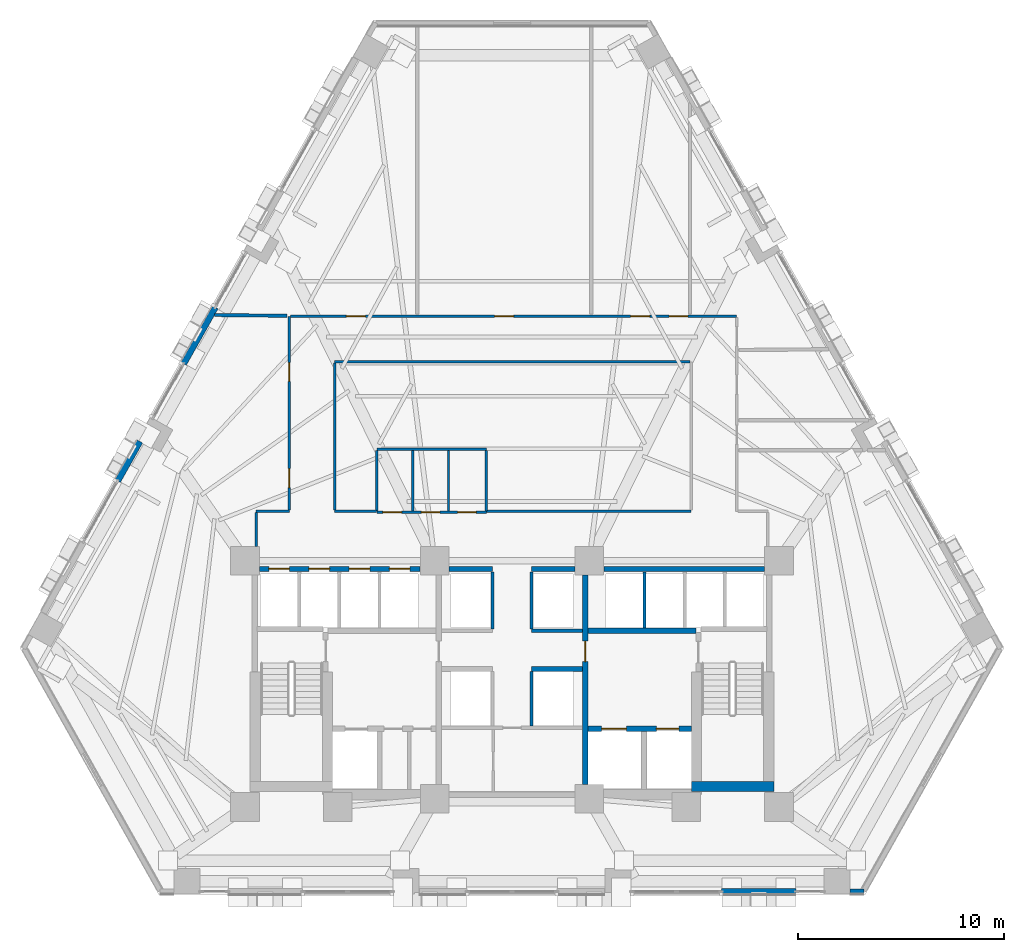
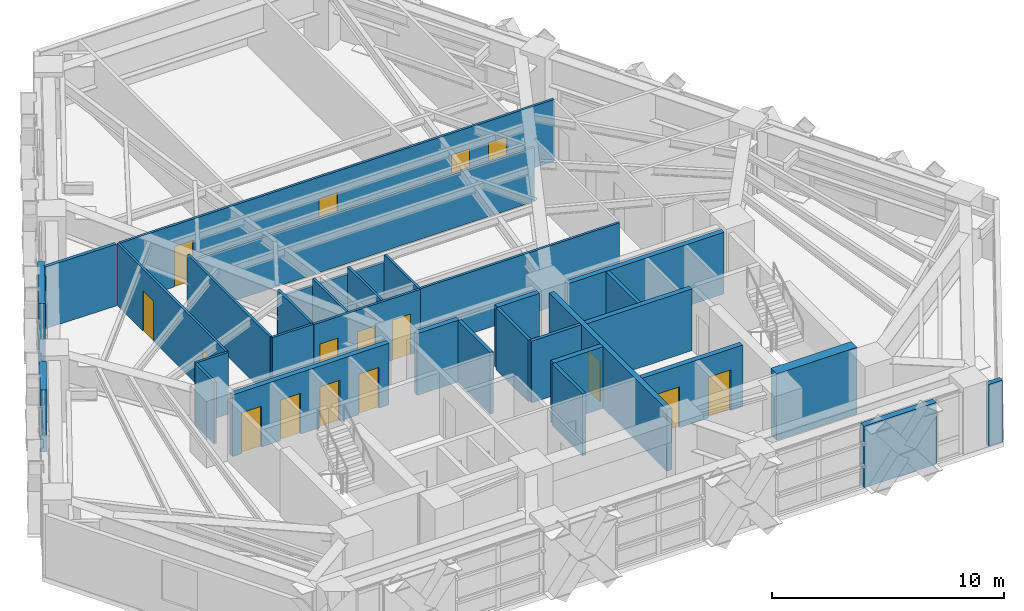
# One storey, part 8 of 14: 33 walls, 16 doors, 16 openings.
"""IFC4 building model written with IfcOpenShell, lengths in metres."""

from ifc_helpers import new_model, si_unit, direction, frame, frame_2d, origin, place, context, subcontext, project, spatial, rectangle, extrude, material, layer, layer_set, type_object, element, fill, save


model = new_model("IFC4")

# Units and contexts
model_context = context("Model", 3, precision=1e-05, world=origin(), true_north=direction((0.0, 1.0)))
body_context = subcontext(model_context, "Body", "Model", "MODEL_VIEW")
ifc_project = project(units=[si_unit("LENGTHUNIT", "METRE"), si_unit("AREAUNIT", "SQUARE_METRE"), si_unit("VOLUMEUNIT", "CUBIC_METRE"), si_unit("PLANEANGLEUNIT", "RADIAN"), si_unit("MASSUNIT", "GRAM", prefix="KILO")], contexts=[model_context])

# Site, building, storey
site_placement = place(None, origin())
site = spatial("IfcSite", under=ifc_project, at=site_placement, CompositionType="ELEMENT")
building_placement = place(site_placement, origin())
building = spatial("IfcBuilding", under=site, at=building_placement, Name="Quenlor Broadcast Tower", CompositionType="ELEMENT")
storey_placement = place(building_placement, frame((0.0, 0.0, 73.10009765625)))
storey = spatial("IfcBuildingStorey", under=building, at=storey_placement, Name="L19", CompositionType="ELEMENT", Elevation=73.10009765625)

# Wall
ifc_material_1 = material(Name="Concrete C65/80", Category="concrete")
ifc_layer_1 = layer(ifc_material_1, 0.5)
ifc_layer_set_1 = layer_set([ifc_layer_1], Name="Core Concrete C65/80 Shear Wall 500")
wall_type_1 = type_object("IfcWallType", Name="Core Concrete C65/80 Shear Wall 500", PredefinedType="SHEAR", material=ifc_layer_set_1)
wall_1_placement = place(storey_placement, frame((8.699951171875, -15.75, 0.0), z_axis=(0.0, 0.0, 1.0), x_axis=(1.0, 0.0, 0.0)))
element("IfcWall", 1, at=wall_1_placement, inside=storey, type_object=wall_type_1, Name="L19 Core Shear Wall WS-E2", PredefinedType="SHEAR", context=body_context, shape_type="SweptSolid", body=[
    extrude(rectangle(XDim=4.0, YDim=0.5, at=frame_2d((2.0, 0.0))), origin(), (0.0, 0.0, 1.0), 3.5),
])

# Wall, openings, doors
ifc_material_2 = material(Name="Concrete C40/50", Category="concrete")
ifc_layer_2 = layer(ifc_material_2, 0.25)
ifc_layer_set_2 = layer_set([ifc_layer_2], Name="Fire Rated Concrete C40/50 Core Wall 250")
wall_type_2 = type_object("IfcWallType", Name="Fire Rated Concrete C40/50 Core Wall 250", PredefinedType="PARTITIONING", material=ifc_layer_set_2)
wall_2_placement = place(storey_placement, frame((3.679931640625, -12.949951171875, 0.0), z_axis=(0.0, 0.0, 1.0), x_axis=(1.0, 0.0, 0.0)))
wall_2 = element("IfcWall", 2, at=wall_2_placement, inside=storey, type_object=wall_type_2, Name="L19 Interior Wall CW-FFE-S", PredefinedType="PARTITIONING", context=body_context, shape_type="SweptSolid", body=[
    extrude(rectangle(XDim=5.01806640625, YDim=0.25, at=frame_2d((2.509033203125, 0.0))), origin(), (0.0, 0.0, 1.0), 3.25),
])
opening_1_placement = place(wall_2_placement, frame((3.320068359375, 0.0, 0.0)))
opening_1 = element("IfcOpeningElement", 3, at=opening_1_placement, cuts=wall_2, Name="Opening LD-FFL-2", PredefinedType="OPENING", context=body_context, shape_type="SweptSolid", body=[
    extrude(rectangle(XDim=1.10009765625, YDim=2.14990234375, at=frame_2d((0.550048828125, 1.074951171875))), frame((0.0, 0.135009765625, 0.0), z_axis=(0.0, -1.0, 0.0), x_axis=(1.0, 0.0, 0.0)), (0.0, 0.0, 1.0), 0.27001953125),
])
opening_2_placement = place(wall_2_placement, frame((0.669921875, 0.0, 0.0)))
opening_2 = element("IfcOpeningElement", 4, at=opening_2_placement, cuts=wall_2, Name="Opening LD-SVL-1", PredefinedType="OPENING", context=body_context, shape_type="SweptSolid", body=[
    extrude(rectangle(XDim=1.199951171875, YDim=2.14990234375, at=frame_2d((0.60009765625, 1.074951171875))), frame((0.0, 0.135009765625, 0.0), z_axis=(0.0, -1.0, 0.0), x_axis=(1.0, 0.0, 0.0)), (0.0, 0.0, 1.0), 0.27001953125),
])
ifc_material_3 = material(Name="Brushed Stainless Steel", Category="steel")
door_type_1 = type_object("IfcDoorType", Name="Emergency Lift Sliding Landing Door 1100x2150", OperationType="NOTDEFINED", PredefinedType="DOOR", material=ifc_material_3)
door_1_placement = place(opening_1_placement, origin())
door_1 = element("IfcDoor", 5, at=door_1_placement, inside=storey, type_object=door_type_1, Name="L19 Door LD-FFL-2", OperationType="SLIDING_TO_RIGHT", OverallHeight=2.14990234375, OverallWidth=1.10009765625, PredefinedType="DOOR", context=body_context, shape_type="SweptSolid", body=[
    extrude(rectangle(XDim=1.10009765625, YDim=2.14990234375, at=frame_2d((0.550048828125, 1.074951171875))), frame((0.0, 0.02490234375, 0.0), z_axis=(0.0, -1.0, 0.0), x_axis=(1.0, 0.0, 0.0)), (0.0, 0.0, 1.0), 0.050048828125),
])
fill(opening_1, door_1)
ifc_material_4 = material(Name="Brushed Stainless Steel", Category="steel")
door_type_2 = type_object("IfcDoorType", Name="Goods Lift Sliding Landing Door 1200x2150", OperationType="NOTDEFINED", PredefinedType="DOOR", material=ifc_material_4)
door_2_placement = place(opening_2_placement, origin())
door_2 = element("IfcDoor", 6, at=door_2_placement, inside=storey, type_object=door_type_2, Name="L19 Door LD-SVL-1", OperationType="SLIDING_TO_LEFT", OverallHeight=2.14990234375, OverallWidth=1.199951171875, PredefinedType="DOOR", context=body_context, shape_type="SweptSolid", body=[
    extrude(rectangle(XDim=1.199951171875, YDim=2.14990234375, at=frame_2d((0.60009765625, 1.074951171875))), frame((0.0, 0.02490234375, 0.0), z_axis=(0.0, -1.0, 0.0), x_axis=(1.0, 0.0, 0.0)), (0.0, 0.0, 1.0), 0.050048828125),
])
fill(opening_2, door_2)

# Wall
wall_3_placement = place(storey_placement, frame((3.679931640625, -8.199951171875, 0.0), z_axis=(0.0, 0.0, 1.0), x_axis=(1.0, 0.0, 0.0)))
element("IfcWall", 7, at=wall_3_placement, inside=storey, type_object=wall_type_2, Name="L19 Interior Wall CW-FFE-N", PredefinedType="PARTITIONING", context=body_context, shape_type="SweptSolid", body=[
    extrude(rectangle(XDim=5.239990234375, YDim=0.25, at=frame_2d((2.6201171875, 0.0))), origin(), (0.0, 0.0, 1.0), 3.25),
])

# Wall, opening, door
wall_4_placement = place(storey_placement, frame((3.550048828125, -15.64794921875, 0.0), z_axis=(0.0, 0.0, 1.0), x_axis=(0.0, 1.0, 0.0)))
wall_4 = element("IfcWall", 8, at=wall_4_placement, inside=storey, type_object=wall_type_2, Name="L19 Interior Wall CW-FFE-W", PredefinedType="PARTITIONING", context=body_context, shape_type="SweptSolid", body=[
    extrude(rectangle(XDim=10.14599609375, YDim=0.25, at=frame_2d((5.072998046875, 0.0))), origin(), (0.0, 0.0, 1.0), 3.25),
])
opening_3_placement = place(wall_4_placement, frame((5.947998046875, 0.0, 0.0)))
opening_3 = element("IfcOpeningElement", 9, at=opening_3_placement, cuts=wall_4, Name="Opening FD-2", PredefinedType="OPENING", context=body_context, shape_type="SweptSolid", body=[
    extrude(rectangle(XDim=1.0, YDim=2.14990234375, at=frame_2d((0.5, 1.074951171875))), frame((0.0, 0.135009765625, 0.0), z_axis=(0.0, -1.0, 0.0), x_axis=(1.0, 0.0, 0.0)), (0.0, 0.0, 1.0), 0.27001953125),
])
ifc_material_5 = material(Name="Fire Rated Glazed Steel Door", Category="steel")
door_type_3 = type_object("IfcDoorType", Name="Firefighting Lobby Smoke Door 1000x2150", OperationType="NOTDEFINED", PredefinedType="DOOR", material=ifc_material_5)
door_3_placement = place(opening_3_placement, origin())
door_3 = element("IfcDoor", 10, at=door_3_placement, inside=storey, type_object=door_type_3, Name="L19 Door DR-FFLE", OperationType="SINGLE_SWING_LEFT", OverallHeight=2.14990234375, OverallWidth=1.0, PredefinedType="DOOR", context=body_context, shape_type="SweptSolid", body=[
    extrude(rectangle(XDim=1.0, YDim=2.14990234375, at=frame_2d((0.5, 1.074951171875))), frame((0.0, 0.02490234375, 0.0), z_axis=(0.0, -1.0, 0.0), x_axis=(1.0, 0.0, 0.0)), (0.0, 0.0, 1.0), 0.050048828125),
])
fill(opening_3, door_3)

# Wall, openings, doors
wall_5_placement = place(storey_placement, frame((-12.248046875, -5.199951171875, 0.0), z_axis=(0.0, 0.0, 1.0), x_axis=(1.0, 0.0, 0.0)))
wall_5 = element("IfcWall", 11, at=wall_5_placement, inside=storey, type_object=wall_type_2, Name="L19 Interior Wall CW-N-W", PredefinedType="PARTITIONING", context=body_context, shape_type="SweptSolid", body=[
    extrude(rectangle(XDim=7.796142578125, YDim=0.25, at=frame_2d((3.89794921875, 0.0))), origin(), (0.0, 0.0, 1.0), 3.25),
])
opening_4_placement = place(wall_5_placement, frame((0.447998046875, 0.0, 0.0)))
opening_4 = element("IfcOpeningElement", 12, at=opening_4_placement, cuts=wall_5, Name="Opening LD-PL-L1", PredefinedType="OPENING", context=body_context, shape_type="SweptSolid", body=[
    extrude(rectangle(XDim=1.0, YDim=2.14990234375, at=frame_2d((0.5, 1.074951171875))), frame((0.0, 0.135009765625, 0.0), z_axis=(0.0, -1.0, 0.0), x_axis=(1.0, 0.0, 0.0)), (0.0, 0.0, 1.0), 0.27001953125),
])
opening_5_placement = place(wall_5_placement, frame((2.39794921875, 0.0, 0.0)))
opening_5 = element("IfcOpeningElement", 13, at=opening_5_placement, cuts=wall_5, Name="Opening LD-PL-L2", PredefinedType="OPENING", context=body_context, shape_type="SweptSolid", body=[
    extrude(rectangle(XDim=1.0, YDim=2.14990234375, at=frame_2d((0.5, 1.074951171875))), frame((0.0, 0.135009765625, 0.0), z_axis=(0.0, -1.0, 0.0), x_axis=(1.0, 0.0, 0.0)), (0.0, 0.0, 1.0), 0.27001953125),
])
opening_6_placement = place(wall_5_placement, frame((4.347900390625, 0.0, 0.0)))
opening_6 = element("IfcOpeningElement", 14, at=opening_6_placement, cuts=wall_5, Name="Opening LD-PL-L3", PredefinedType="OPENING", context=body_context, shape_type="SweptSolid", body=[
    extrude(rectangle(XDim=1.0, YDim=2.14990234375, at=frame_2d((0.5, 1.074951171875))), frame((0.0, 0.135009765625, 0.0), z_axis=(0.0, -1.0, 0.0), x_axis=(1.0, 0.0, 0.0)), (0.0, 0.0, 1.0), 0.27001953125),
])
opening_7_placement = place(wall_5_placement, frame((6.298095703125, 0.0, 0.0)))
opening_7 = element("IfcOpeningElement", 15, at=opening_7_placement, cuts=wall_5, Name="Opening LD-PL-L4", PredefinedType="OPENING", context=body_context, shape_type="SweptSolid", body=[
    extrude(rectangle(XDim=1.0, YDim=2.14990234375, at=frame_2d((0.5, 1.074951171875))), frame((0.0, 0.135009765625, 0.0), z_axis=(0.0, -1.0, 0.0), x_axis=(1.0, 0.0, 0.0)), (0.0, 0.0, 1.0), 0.27001953125),
])
ifc_material_6 = material(Name="Brushed Stainless Steel", Category="steel")
door_type_4 = type_object("IfcDoorType", Name="Passenger Lift Sliding Landing Door 1000x2150", OperationType="NOTDEFINED", PredefinedType="DOOR", material=ifc_material_6)
door_4_placement = place(opening_4_placement, origin())
door_4 = element("IfcDoor", 16, at=door_4_placement, inside=storey, type_object=door_type_4, Name="L19 Door LD-PL-L1", OperationType="SLIDING_TO_LEFT", OverallHeight=2.14990234375, OverallWidth=1.0, PredefinedType="DOOR", context=body_context, shape_type="SweptSolid", body=[
    extrude(rectangle(XDim=1.0, YDim=2.14990234375, at=frame_2d((0.5, 1.074951171875))), frame((0.0, 0.02490234375, 0.0), z_axis=(0.0, -1.0, 0.0), x_axis=(1.0, 0.0, 0.0)), (0.0, 0.0, 1.0), 0.050048828125),
])
fill(opening_4, door_4)
door_5_placement = place(opening_5_placement, origin())
door_5 = element("IfcDoor", 17, at=door_5_placement, inside=storey, type_object=door_type_4, Name="L19 Door LD-PL-L2", OperationType="SLIDING_TO_LEFT", OverallHeight=2.14990234375, OverallWidth=1.0, PredefinedType="DOOR", context=body_context, shape_type="SweptSolid", body=[
    extrude(rectangle(XDim=1.0, YDim=2.14990234375, at=frame_2d((0.5, 1.074951171875))), frame((0.0, 0.02490234375, 0.0), z_axis=(0.0, -1.0, 0.0), x_axis=(1.0, 0.0, 0.0)), (0.0, 0.0, 1.0), 0.050048828125),
])
fill(opening_5, door_5)
door_6_placement = place(opening_6_placement, origin())
door_6 = element("IfcDoor", 18, at=door_6_placement, inside=storey, type_object=door_type_4, Name="L19 Door LD-PL-L3", OperationType="SLIDING_TO_LEFT", OverallHeight=2.14990234375, OverallWidth=1.0, PredefinedType="DOOR", context=body_context, shape_type="SweptSolid", body=[
    extrude(rectangle(XDim=1.0, YDim=2.14990234375, at=frame_2d((0.5, 1.074951171875))), frame((0.0, 0.02490234375, 0.0), z_axis=(0.0, -1.0, 0.0), x_axis=(1.0, 0.0, 0.0)), (0.0, 0.0, 1.0), 0.050048828125),
])
fill(opening_6, door_6)
door_7_placement = place(opening_7_placement, origin())
door_7 = element("IfcDoor", 19, at=door_7_placement, inside=storey, type_object=door_type_4, Name="L19 Door LD-PL-L4", OperationType="SLIDING_TO_LEFT", OverallHeight=2.14990234375, OverallWidth=1.0, PredefinedType="DOOR", context=body_context, shape_type="SweptSolid", body=[
    extrude(rectangle(XDim=1.0, YDim=2.14990234375, at=frame_2d((0.5, 1.074951171875))), frame((0.0, 0.02490234375, 0.0), z_axis=(0.0, -1.0, 0.0), x_axis=(1.0, 0.0, 0.0)), (0.0, 0.0, 1.0), 0.050048828125),
])
fill(opening_7, door_7)

# Walls
wall_6_placement = place(storey_placement, frame((4.451904296875, -5.199951171875, 0.0), z_axis=(0.0, 0.0, 1.0), x_axis=(1.0, 0.0, 0.0)))
element("IfcWall", 20, at=wall_6_placement, inside=storey, type_object=wall_type_2, Name="L19 Interior Wall CW-N-E", PredefinedType="PARTITIONING", context=body_context, shape_type="SweptSolid", body=[
    extrude(rectangle(XDim=7.796142578125, YDim=0.25, at=frame_2d((3.89794921875, 0.0))), origin(), (0.0, 0.0, 1.0), 3.25),
])
for number, where, z_axis, x_axis, name in (
    (21, (-3.048095703125, -5.199951171875, 0.0), (0.0, 0.0, 1.0), (1.0, 0.0, 0.0), "L19 Interior Wall CW-N-M1"),
    (22, (0.949951171875, -5.199951171875, 0.0), (0.0, 0.0, 1.0), (1.0, 0.0, 0.0), "L19 Interior Wall CW-N-M2"),
):
    element("IfcWall", number, at=place(storey_placement, frame(where, z_axis=z_axis, x_axis=x_axis)), inside=storey, type_object=wall_type_2, Name=name, PredefinedType="PARTITIONING", context=body_context, shape_type="SweptSolid", body=[
        extrude(rectangle(XDim=2.09814453125, YDim=0.25, at=frame_2d((1.049072265625, 0.0))), origin(), (0.0, 0.0, 1.0), 3.25),
    ])
wall_7_placement = place(storey_placement, frame((0.949951171875, -10.050048828125, 0.0), z_axis=(0.0, 0.0, 1.0), x_axis=(1.0, 0.0, 0.0)))
element("IfcWall", 23, at=wall_7_placement, inside=storey, type_object=wall_type_2, Name="L19 Interior Wall CW-MS-N2", PredefinedType="PARTITIONING", context=body_context, shape_type="SweptSolid", body=[
    extrude(rectangle(XDim=2.469970703125, YDim=0.25, at=frame_2d((1.23486328125, 0.0))), origin(), (0.0, 0.0, 1.0), 3.25),
])
ifc_material_7 = material(Name="Gypsum Fireboard Partition", Category="other")
ifc_layer_3 = layer(ifc_material_7, 0.159912109375)
ifc_layer_set_3 = layer_set([ifc_layer_3], Name="Fire Rated Shaft and Corridor Partition 160")
wall_type_3 = type_object("IfcWallType", Name="Fire Rated Shaft and Corridor Partition 160", PredefinedType="PARTITIONING", material=ifc_layer_set_3)
wall_8_placement = place(storey_placement, frame((6.425048828125, -8.072998046875, 0.0), z_axis=(0.0, 0.0, 1.0), x_axis=(0.0, 1.0, 0.0)))
element("IfcWall", 24, at=wall_8_placement, inside=storey, type_object=wall_type_3, Name="L19 Interior Wall CW-PLH-D1", PredefinedType="PARTITIONING", context=body_context, shape_type="SweptSolid", body=[
    extrude(rectangle(XDim=2.73291015625, YDim=0.159912109375, at=frame_2d((1.366455078125, 0.0))), origin(), (0.0, 0.0, 1.0), 3.25),
])
for number, where, z_axis, x_axis, name in (
    (25, (-0.949951171875, -8.1201171875, 0.0), (0.0, 0.0, 1.0), (0.0, 1.0, 0.0), "L19 Interior Wall CW-CCRP-W"),
    (26, (0.949951171875, -8.1201171875, 0.0), (0.0, 0.0, 1.0), (0.0, 1.0, 0.0), "L19 Interior Wall CW-CCRP-E"),
):
    element("IfcWall", number, at=place(storey_placement, frame(where, z_axis=z_axis, x_axis=x_axis)), inside=storey, type_object=wall_type_3, Name=name, PredefinedType="PARTITIONING", context=body_context, shape_type="SweptSolid", body=[
        extrude(rectangle(XDim=2.780029296875, YDim=0.159912109375, at=frame_2d((1.39013671875, 0.0))), origin(), (0.0, 0.0, 1.0), 3.25),
    ])
wall_9_placement = place(storey_placement, frame((0.949951171875, -8.199951171875, 0.0), z_axis=(0.0, 0.0, 1.0), x_axis=(1.0, 0.0, 0.0)))
element("IfcWall", 27, at=wall_9_placement, inside=storey, type_object=wall_type_3, Name="L19 Interior Wall CW-M-BACK2", PredefinedType="PARTITIONING", context=body_context, shape_type="SweptSolid", body=[
    extrude(rectangle(XDim=2.469970703125, YDim=0.159912109375, at=frame_2d((1.23486328125, 0.0))), origin(), (0.0, 0.0, 1.0), 3.25),
])
wall_10_placement = place(storey_placement, frame((0.949951171875, -12.818115234375, 0.0), z_axis=(0.0, 0.0, 1.0), x_axis=(0.0, 1.0, 0.0)))
element("IfcWall", 28, at=wall_10_placement, inside=storey, type_object=wall_type_3, Name="L19 Interior Wall CW-MS-E", PredefinedType="PARTITIONING", context=body_context, shape_type="SweptSolid", body=[
    extrude(rectangle(XDim=2.63818359375, YDim=0.159912109375, at=frame_2d((1.319091796875, 0.0))), origin(), (0.0, 0.0, 1.0), 3.25),
])
wall_11_placement = place(storey_placement, frame((-10.9150390625, 7.081787109375, 0.0), z_axis=(0.0, 0.0, 1.0), x_axis=(-0.99994262827, 0.010711683692, 0.0)))
element("IfcWall", 29, at=wall_11_placement, inside=storey, type_object=wall_type_3, Name="L19 Interior Wall PW-DV-04", PredefinedType="PARTITIONING", context=body_context, shape_type="SweptSolid", body=[
    extrude(rectangle(XDim=3.510009765625, YDim=0.159912109375, at=frame_2d((1.7548828125, 0.0))), origin(), (0.0, 0.0, 1.0), 3.25),
])

# Wall, openings, doors
ifc_material_8 = material(Name="Gypsum Plasterboard Partition", Category="other")
ifc_layer_4 = layer(ifc_material_8, 0.1201171875)
ifc_layer_set_4 = layer_set([ifc_layer_4], Name="Standard Office Partition 120")
wall_type_4 = type_object("IfcWallType", Name="Standard Office Partition 120", PredefinedType="PARTITIONING", material=ifc_layer_set_4)
wall_12_placement = place(storey_placement, frame((-6.56005859375, -2.43994140625, 0.0), z_axis=(0.0, 0.0, 1.0), x_axis=(1.0, 0.0, 0.0)))
wall_12 = element("IfcWall", 30, at=wall_12_placement, inside=storey, type_object=wall_type_4, Name="L19 Interior Wall PW-WC-S", PredefinedType="PARTITIONING", context=body_context, shape_type="SweptSolid", body=[
    extrude(rectangle(XDim=5.320068359375, YDim=0.1201171875, at=frame_2d((2.66015625, 0.0))), origin(), (0.0, 0.0, 1.0), 3.25),
])
opening_8_placement = place(wall_12_placement, frame((0.300048828125, 0.0, 0.0)))
opening_8 = element("IfcOpeningElement", 31, at=opening_8_placement, cuts=wall_12, Name="Opening ID-3", PredefinedType="OPENING", context=body_context, shape_type="SweptSolid", body=[
    extrude(rectangle(XDim=0.89990234375, YDim=2.1201171875, at=frame_2d((0.449951171875, 1.06005859375))), frame((0.0, 0.070068359375, 0.0), z_axis=(0.0, -1.0, 0.0), x_axis=(1.0, 0.0, 0.0)), (0.0, 0.0, 1.0), 0.14013671875),
])
opening_9_placement = place(wall_12_placement, frame((2.159912109375, 0.0, 0.0)))
opening_9 = element("IfcOpeningElement", 32, at=opening_9_placement, cuts=wall_12, Name="Opening ID-3", PredefinedType="OPENING", context=body_context, shape_type="SweptSolid", body=[
    extrude(rectangle(XDim=0.89990234375, YDim=2.1201171875, at=frame_2d((0.449951171875, 1.06005859375))), frame((0.0, 0.070068359375, 0.0), z_axis=(0.0, -1.0, 0.0), x_axis=(1.0, 0.0, 0.0)), (0.0, 0.0, 1.0), 0.14013671875),
])
opening_10_placement = place(wall_12_placement, frame((3.919921875, 0.0, 0.0)))
opening_10 = element("IfcOpeningElement", 33, at=opening_10_placement, cuts=wall_12, Name="Opening ID-3", PredefinedType="OPENING", context=body_context, shape_type="SweptSolid", body=[
    extrude(rectangle(XDim=0.89990234375, YDim=2.1201171875, at=frame_2d((0.449951171875, 1.06005859375))), frame((0.0, 0.070068359375, 0.0), z_axis=(0.0, -1.0, 0.0), x_axis=(1.0, 0.0, 0.0)), (0.0, 0.0, 1.0), 0.14013671875),
])
ifc_material_9 = material(Name="Moisture Resistant Timber Oak", Category="wood")
door_type_5 = type_object("IfcDoorType", Name="Washroom Privacy Door 900x2120", OperationType="NOTDEFINED", PredefinedType="DOOR", material=ifc_material_9)
door_8_placement = place(opening_8_placement, origin())
door_8 = element("IfcDoor", 34, at=door_8_placement, inside=storey, type_object=door_type_5, Name="L19 Door DR-FWC", OperationType="SINGLE_SWING_LEFT", OverallHeight=2.1201171875, OverallWidth=0.89990234375, PredefinedType="DOOR", context=body_context, shape_type="SweptSolid", body=[
    extrude(rectangle(XDim=0.89990234375, YDim=2.1201171875, at=frame_2d((0.449951171875, 1.06005859375))), frame((0.0, 0.02490234375, 0.0), z_axis=(0.0, -1.0, 0.0), x_axis=(1.0, 0.0, 0.0)), (0.0, 0.0, 1.0), 0.050048828125),
])
fill(opening_8, door_8)
door_9_placement = place(opening_9_placement, origin())
door_9 = element("IfcDoor", 35, at=door_9_placement, inside=storey, type_object=door_type_5, Name="L19 Door DR-MWC", OperationType="SINGLE_SWING_RIGHT", OverallHeight=2.1201171875, OverallWidth=0.89990234375, PredefinedType="DOOR", context=body_context, shape_type="SweptSolid", body=[
    extrude(rectangle(XDim=0.89990234375, YDim=2.1201171875, at=frame_2d((0.449951171875, 1.06005859375))), frame((0.0, 0.02490234375, 0.0), z_axis=(0.0, -1.0, 0.0), x_axis=(1.0, 0.0, 0.0)), (0.0, 0.0, 1.0), 0.050048828125),
])
fill(opening_9, door_9)
door_10_placement = place(opening_10_placement, origin())
door_10 = element("IfcDoor", 36, at=door_10_placement, inside=storey, type_object=door_type_5, Name="L19 Door DR-AWC", OperationType="SINGLE_SWING_RIGHT", OverallHeight=2.1201171875, OverallWidth=0.89990234375, PredefinedType="DOOR", context=body_context, shape_type="SweptSolid", body=[
    extrude(rectangle(XDim=0.89990234375, YDim=2.1201171875, at=frame_2d((0.449951171875, 1.06005859375))), frame((0.0, 0.02490234375, 0.0), z_axis=(0.0, -1.0, 0.0), x_axis=(1.0, 0.0, 0.0)), (0.0, 0.0, 1.0), 0.050048828125),
])
fill(opening_10, door_10)

# Walls
wall_13_placement = place(storey_placement, frame((-6.56005859375, 0.610107421875, 0.0), z_axis=(0.0, 0.0, 1.0), x_axis=(1.0, 0.0, 0.0)))
element("IfcWall", 37, at=wall_13_placement, inside=storey, type_object=wall_type_4, Name="L19 Interior Wall PW-WC-N", PredefinedType="PARTITIONING", context=body_context, shape_type="SweptSolid", body=[
    extrude(rectangle(XDim=5.320068359375, YDim=0.1201171875, at=frame_2d((2.66015625, 0.0))), origin(), (0.0, 0.0, 1.0), 2.843505859375),
])
for number, where, z_axis, x_axis, name in (
    (38, (-6.56005859375, -2.3779296875, 0.0), (0.0, 0.0, 1.0), (0.0, 1.0, 0.0), "L19 Interior Wall PW-WC-W"),
    (39, (-4.820068359375, -2.3779296875, 0.0), (0.0, 0.0, 1.0), (0.0, 1.0, 0.0), "L19 Interior Wall PW-WC-M1"),
    (40, (-3.080078125, -2.3779296875, 0.0), (0.0, 0.0, 1.0), (0.0, 1.0, 0.0), "L19 Interior Wall PW-WC-M2"),
    (41, (-1.239990234375, -2.3779296875, 0.0), (0.0, 0.0, 1.0), (0.0, 1.0, 0.0), "L19 Interior Wall PW-WC-E"),
):
    element("IfcWall", number, at=place(storey_placement, frame(where, z_axis=z_axis, x_axis=x_axis)), inside=storey, type_object=wall_type_4, Name=name, PredefinedType="PARTITIONING", context=body_context, shape_type="SweptSolid", body=[
        extrude(rectangle(XDim=2.926025390625, YDim=0.1201171875, at=frame_2d((1.462890625, 0.0))), origin(), (0.0, 0.0, 1.0), 3.25),
    ])
wall_14_placement = place(storey_placement, frame((-12.409912109375, -2.39990234375, 0.0), z_axis=(0.0, 0.0, 1.0), x_axis=(1.0, 0.0, 0.0)))
element("IfcWall", 42, at=wall_14_placement, inside=storey, type_object=wall_type_4, Name="L19 Interior Wall PW-CR-01", PredefinedType="PARTITIONING", context=body_context, shape_type="SweptSolid", body=[
    extrude(rectangle(XDim=1.60498046875, YDim=0.1201171875, at=frame_2d((0.802490234375, 0.0))), origin(), (0.0, 0.0, 1.0), 3.25),
])

# Wall, openings, doors
wall_15_placement = place(storey_placement, frame((-10.804931640625, -2.337890625, 0.0), z_axis=(0.0, 0.0, 1.0), x_axis=(0.0, 1.0, 0.0)))
wall_15 = element("IfcWall", 43, at=wall_15_placement, inside=storey, type_object=wall_type_4, Name="L19 Interior Wall PW-CR-02", PredefinedType="PARTITIONING", context=body_context, shape_type="SweptSolid", body=[
    extrude(rectangle(XDim=9.387939453125, YDim=0.1201171875, at=frame_2d((4.69384765625, 0.0))), origin(), (0.0, 0.0, 1.0), 3.25),
])
opening_11_placement = place(wall_15_placement, frame((6.23388671875, 0.0, 0.0)))
opening_11 = element("IfcOpeningElement", 44, at=opening_11_placement, cuts=wall_15, Name="Opening ID-1", PredefinedType="OPENING", context=body_context, shape_type="SweptSolid", body=[
    extrude(rectangle(XDim=0.919921875, YDim=2.1201171875, at=frame_2d((0.4599609375, 1.06005859375))), frame((0.0, 0.070068359375, 0.0), z_axis=(0.0, -1.0, 0.0), x_axis=(1.0, 0.0, 0.0)), (0.0, 0.0, 1.0), 0.14013671875),
])
opening_12_placement = place(wall_15_placement, frame((1.089111328125, 0.0, 0.0)))
opening_12 = element("IfcOpeningElement", 45, at=opening_12_placement, cuts=wall_15, Name="Opening ID-1", PredefinedType="OPENING", context=body_context, shape_type="SweptSolid", body=[
    extrude(rectangle(XDim=0.919921875, YDim=2.1201171875, at=frame_2d((0.4599609375, 1.06005859375))), frame((0.0, 0.070068359375, 0.0), z_axis=(0.0, -1.0, 0.0), x_axis=(1.0, 0.0, 0.0)), (0.0, 0.0, 1.0), 0.14013671875),
])
ifc_material_10 = material(Name="Solid Core Timber Oak", Category="wood")
door_type_6 = type_object("IfcDoorType", Name="Single Leaf Timber Office Door 920x2120", OperationType="NOTDEFINED", PredefinedType="DOOR", material=ifc_material_10)
door_11_placement = place(opening_11_placement, origin())
door_11 = element("IfcDoor", 46, at=door_11_placement, inside=storey, type_object=door_type_6, Name="L19 Door DR-RM05", OperationType="SINGLE_SWING_LEFT", OverallHeight=2.1201171875, OverallWidth=0.919921875, PredefinedType="DOOR", context=body_context, shape_type="SweptSolid", body=[
    extrude(rectangle(XDim=0.919921875, YDim=2.1201171875, at=frame_2d((0.4599609375, 1.06005859375))), frame((0.0, 0.02490234375, 0.0), z_axis=(0.0, -1.0, 0.0), x_axis=(1.0, 0.0, 0.0)), (0.0, 0.0, 1.0), 0.050048828125),
])
fill(opening_11, door_11)
door_12_placement = place(opening_12_placement, origin())
door_12 = element("IfcDoor", 47, at=door_12_placement, inside=storey, type_object=door_type_6, Name="L19 Door DR-RM08", OperationType="SINGLE_SWING_RIGHT", OverallHeight=2.1201171875, OverallWidth=0.919921875, PredefinedType="DOOR", context=body_context, shape_type="SweptSolid", body=[
    extrude(rectangle(XDim=0.919921875, YDim=2.1201171875, at=frame_2d((0.4599609375, 1.06005859375))), frame((0.0, 0.02490234375, 0.0), z_axis=(0.0, -1.0, 0.0), x_axis=(1.0, 0.0, 0.0)), (0.0, 0.0, 1.0), 0.050048828125),
])
fill(opening_12, door_12)

wall_16_placement = place(storey_placement, frame((-10.742919921875, 7.050048828125, 0.0), z_axis=(0.0, 0.0, 1.0), x_axis=(1.0, 0.0, 0.0)))
wall_16 = element("IfcWall", 48, at=wall_16_placement, inside=storey, type_object=wall_type_4, Name="L19 Interior Wall PW-CR-03", PredefinedType="PARTITIONING", context=body_context, shape_type="SweptSolid", body=[
    extrude(rectangle(XDim=21.637939453125, YDim=0.1201171875, at=frame_2d((10.81884765625, 0.0))), origin(), (0.0, 0.0, 1.0), 3.25),
])
opening_13_placement = place(wall_16_placement, frame((9.903076171875, 0.0, 0.0)))
opening_13 = element("IfcOpeningElement", 49, at=opening_13_placement, cuts=wall_16, Name="Opening ID-1", PredefinedType="OPENING", context=body_context, shape_type="SweptSolid", body=[
    extrude(rectangle(XDim=0.919921875, YDim=2.1201171875, at=frame_2d((0.4599609375, 1.06005859375))), frame((0.0, 0.070068359375, 0.0), z_axis=(0.0, -1.0, 0.0), x_axis=(1.0, 0.0, 0.0)), (0.0, 0.0, 1.0), 0.14013671875),
])
opening_14_placement = place(wall_16_placement, frame((16.5029296875, 0.0, 0.0)))
opening_14 = element("IfcOpeningElement", 50, at=opening_14_placement, cuts=wall_16, Name="Opening ID-1", PredefinedType="OPENING", context=body_context, shape_type="SweptSolid", body=[
    extrude(rectangle(XDim=0.919921875, YDim=2.1201171875, at=frame_2d((0.4599609375, 1.06005859375))), frame((0.0, 0.070068359375, 0.0), z_axis=(0.0, -1.0, 0.0), x_axis=(1.0, 0.0, 0.0)), (0.0, 0.0, 1.0), 0.14013671875),
])
opening_15_placement = place(wall_16_placement, frame((2.7099609375, 0.0, 0.0)))
opening_15 = element("IfcOpeningElement", 51, at=opening_15_placement, cuts=wall_16, Name="Opening ID-1", PredefinedType="OPENING", context=body_context, shape_type="SweptSolid", body=[
    extrude(rectangle(XDim=0.919921875, YDim=2.1201171875, at=frame_2d((0.4599609375, 1.06005859375))), frame((0.0, 0.070068359375, 0.0), z_axis=(0.0, -1.0, 0.0), x_axis=(1.0, 0.0, 0.0)), (0.0, 0.0, 1.0), 0.14013671875),
])
opening_16_placement = place(wall_16_placement, frame((18.361083984375, 0.0, 0.0)))
opening_16 = element("IfcOpeningElement", 52, at=opening_16_placement, cuts=wall_16, Name="Opening ID-1", PredefinedType="OPENING", context=body_context, shape_type="SweptSolid", body=[
    extrude(rectangle(XDim=0.919921875, YDim=2.1201171875, at=frame_2d((0.4599609375, 1.06005859375))), frame((0.0, 0.070068359375, 0.0), z_axis=(0.0, -1.0, 0.0), x_axis=(1.0, 0.0, 0.0)), (0.0, 0.0, 1.0), 0.14013671875),
])
door_13_placement = place(opening_13_placement, origin())
door_13 = element("IfcDoor", 53, at=door_13_placement, inside=storey, type_object=door_type_6, Name="L19 Door DR-RM01", OperationType="SINGLE_SWING_LEFT", OverallHeight=2.1201171875, OverallWidth=0.919921875, PredefinedType="DOOR", context=body_context, shape_type="SweptSolid", body=[
    extrude(rectangle(XDim=0.919921875, YDim=2.1201171875, at=frame_2d((0.4599609375, 1.06005859375))), frame((0.0, 0.02490234375, 0.0), z_axis=(0.0, -1.0, 0.0), x_axis=(1.0, 0.0, 0.0)), (0.0, 0.0, 1.0), 0.050048828125),
])
fill(opening_13, door_13)
door_14_placement = place(opening_14_placement, origin())
door_14 = element("IfcDoor", 54, at=door_14_placement, inside=storey, type_object=door_type_6, Name="L19 Door DR-RM02", OperationType="SINGLE_SWING_RIGHT", OverallHeight=2.1201171875, OverallWidth=0.919921875, PredefinedType="DOOR", context=body_context, shape_type="SweptSolid", body=[
    extrude(rectangle(XDim=0.919921875, YDim=2.1201171875, at=frame_2d((0.4599609375, 1.06005859375))), frame((0.0, 0.02490234375, 0.0), z_axis=(0.0, -1.0, 0.0), x_axis=(1.0, 0.0, 0.0)), (0.0, 0.0, 1.0), 0.050048828125),
])
fill(opening_14, door_14)
door_15_placement = place(opening_15_placement, origin())
door_15 = element("IfcDoor", 55, at=door_15_placement, inside=storey, type_object=door_type_6, Name="L19 Door DR-RM03", OperationType="SINGLE_SWING_LEFT", OverallHeight=2.1201171875, OverallWidth=0.919921875, PredefinedType="DOOR", context=body_context, shape_type="SweptSolid", body=[
    extrude(rectangle(XDim=0.919921875, YDim=2.1201171875, at=frame_2d((0.4599609375, 1.06005859375))), frame((0.0, 0.02490234375, 0.0), z_axis=(0.0, -1.0, 0.0), x_axis=(1.0, 0.0, 0.0)), (0.0, 0.0, 1.0), 0.050048828125),
])
fill(opening_15, door_15)
door_16_placement = place(opening_16_placement, origin())
door_16 = element("IfcDoor", 56, at=door_16_placement, inside=storey, type_object=door_type_6, Name="L19 Door DR-RM04", OperationType="SINGLE_SWING_RIGHT", OverallHeight=2.1201171875, OverallWidth=0.919921875, PredefinedType="DOOR", context=body_context, shape_type="SweptSolid", body=[
    extrude(rectangle(XDim=0.919921875, YDim=2.1201171875, at=frame_2d((0.4599609375, 1.06005859375))), frame((0.0, 0.02490234375, 0.0), z_axis=(0.0, -1.0, 0.0), x_axis=(1.0, 0.0, 0.0)), (0.0, 0.0, 1.0), 0.050048828125),
])
fill(opening_16, door_16)

# Walls
wall_17_placement = place(storey_placement, frame((-12.409912109375, -4.097900390625, 0.0), z_axis=(0.0, 0.0, 1.0), x_axis=(0.0, 1.0, 0.0)))
element("IfcWall", 57, at=wall_17_placement, inside=storey, type_object=wall_type_4, Name="L19 Interior Wall PW-CR-07", PredefinedType="PARTITIONING", context=body_context, shape_type="SweptSolid", body=[
    extrude(rectangle(XDim=1.635986328125, YDim=0.1201171875, at=frame_2d((0.81787109375, 0.0))), origin(), (0.0, 0.0, 1.0), 3.25),
])
wall_18_placement = place(storey_placement, frame((-8.60498046875, -2.39990234375, 0.0), z_axis=(0.0, 0.0, 1.0), x_axis=(1.0, 0.0, 0.0)))
element("IfcWall", 58, at=wall_18_placement, inside=storey, type_object=wall_type_4, Name="L19 Interior Wall PW-CR-08", PredefinedType="PARTITIONING", context=body_context, shape_type="SweptSolid", body=[
    extrude(rectangle(XDim=2.04296875, YDim=0.1201171875, at=frame_2d((1.021484375, 0.0))), origin(), (0.0, 0.0, 1.0), 3.25),
])
wall_19_placement = place(storey_placement, frame((-1.238037109375, -2.39990234375, 0.0), z_axis=(0.0, 0.0, 1.0), x_axis=(1.0, 0.0, 0.0)))
element("IfcWall", 59, at=wall_19_placement, inside=storey, type_object=wall_type_4, Name="L19 Interior Wall PW-CR-08S2", PredefinedType="PARTITIONING", context=body_context, shape_type="SweptSolid", body=[
    extrude(rectangle(XDim=9.93310546875, YDim=0.1201171875, at=frame_2d((4.966552734375, 0.0))), origin(), (0.0, 0.0, 1.0), 3.25),
])
wall_20_placement = place(storey_placement, frame((8.633056640625, 4.85009765625, 0.0), z_axis=(0.0, 0.0, 1.0), x_axis=(-1.0, 0.0, 0.0)))
element("IfcWall", 60, at=wall_20_placement, inside=storey, type_object=wall_type_4, Name="L19 Interior Wall PW-CR-10", PredefinedType="PARTITIONING", context=body_context, shape_type="SweptSolid", body=[
    extrude(rectangle(XDim=17.238037109375, YDim=0.1201171875, at=frame_2d((8.619140625, 0.0))), origin(), (0.0, 0.0, 1.0), 2.843505859375),
])
wall_21_placement = place(storey_placement, frame((-8.60498046875, 4.7880859375, 0.0), z_axis=(0.0, 0.0, 1.0), x_axis=(0.0, -1.0, 0.0)))
element("IfcWall", 61, at=wall_21_placement, inside=storey, type_object=wall_type_4, Name="L19 Interior Wall PW-CR-11", PredefinedType="PARTITIONING", context=body_context, shape_type="SweptSolid", body=[
    extrude(rectangle(XDim=7.1259765625, YDim=0.1201171875, at=frame_2d((3.56298828125, 0.0))), origin(), (0.0, 0.0, 1.0), 3.25),
])
ifc_material_11 = material(Name="Precast concrete C40/50", Category="concrete")
ifc_layer_5 = layer(ifc_material_11, 0.239990234375)
ifc_layer_set_5 = layer_set([ifc_layer_5], Name="Terrace Threshold Precast Concrete C40/50 Wall 240")
wall_type_5 = type_object("IfcWallType", Name="Terrace Threshold Precast Concrete C40/50 Wall 240", PredefinedType="STANDARD", material=ifc_layer_set_5)
wall_22_placement = place(storey_placement, frame((17.075927734375, -20.840087890625, 0.0), z_axis=(0.0, 0.0, 1.0), x_axis=(-1.0, 0.0, 0.0)))
element("IfcWall", 62, at=wall_22_placement, inside=storey, type_object=wall_type_5, Name="L19 Exterior Wall L19-SHD-SS0", PredefinedType="STANDARD", context=body_context, shape_type="SweptSolid", body=[
    extrude(rectangle(XDim=0.680908203125, YDim=0.239990234375, at=frame_2d((0.34033203125, 0.0))), origin(), (0.0, 0.0, 1.0), 3.25),
])
ifc_material_12 = material(Name="Precast concrete C40/50", Category="concrete")
ifc_layer_6 = layer(ifc_material_12, 0.300048828125)
ifc_layer_set_6 = layer_set([ifc_layer_6], Name="Terracotta Precast Concrete C40/50 Spandrel Wall 300")
wall_type_6 = type_object("IfcWallType", Name="Terracotta Precast Concrete C40/50 Spandrel Wall 300", PredefinedType="STANDARD", material=ifc_layer_set_6)
wall_23_placement = place(storey_placement, frame((13.766845703125, -20.840087890625, 0.0), z_axis=(0.0, 0.0, 1.0), x_axis=(-1.0, 0.0, 0.0)))
element("IfcWall", 63, at=wall_23_placement, inside=storey, type_object=wall_type_6, Name="L19 Exterior Wall L19-SA-SP1", PredefinedType="STANDARD", context=body_context, shape_type="SweptSolid", body=[
    extrude(rectangle(XDim=3.592041015625, YDim=0.300048828125, at=frame_2d((1.7958984375, 0.0))), origin(), (0.0, 0.0, 1.0), 3.25),
])
wall_24_placement = place(storey_placement, frame((-19.126953125, -0.9296875, 0.0), z_axis=(0.0, 0.0, 1.0), x_axis=(0.490277063651, 0.871566635925, 0.0)))
element("IfcWall", 64, at=wall_24_placement, inside=storey, type_object=wall_type_6, Name="L19 Exterior Wall L19-NWA-SP2", PredefinedType="STANDARD", context=body_context, shape_type="SweptSolid", body=[
    extrude(rectangle(XDim=2.197509765625, YDim=0.300048828125, at=frame_2d((1.0986328125, 0.0))), origin(), (0.0, 0.0, 1.0), 3.25),
])
wall_25_placement = place(storey_placement, frame((-15.93017578125, 4.75341796875, 0.0), z_axis=(0.0, 0.0, 1.0), x_axis=(0.490290775148, 0.871558922738, 0.0)))
element("IfcWall", 65, at=wall_25_placement, inside=storey, type_object=wall_type_6, Name="L19 Exterior Wall L19-NW-SP1", PredefinedType="STANDARD", context=body_context, shape_type="SweptSolid", body=[
    extrude(rectangle(XDim=3.1396484375, YDim=0.300048828125, at=frame_2d((1.56982421875, 0.0))), origin(), (0.0, 0.0, 1.0), 3.25),
])

save(model, "model.ifc")
